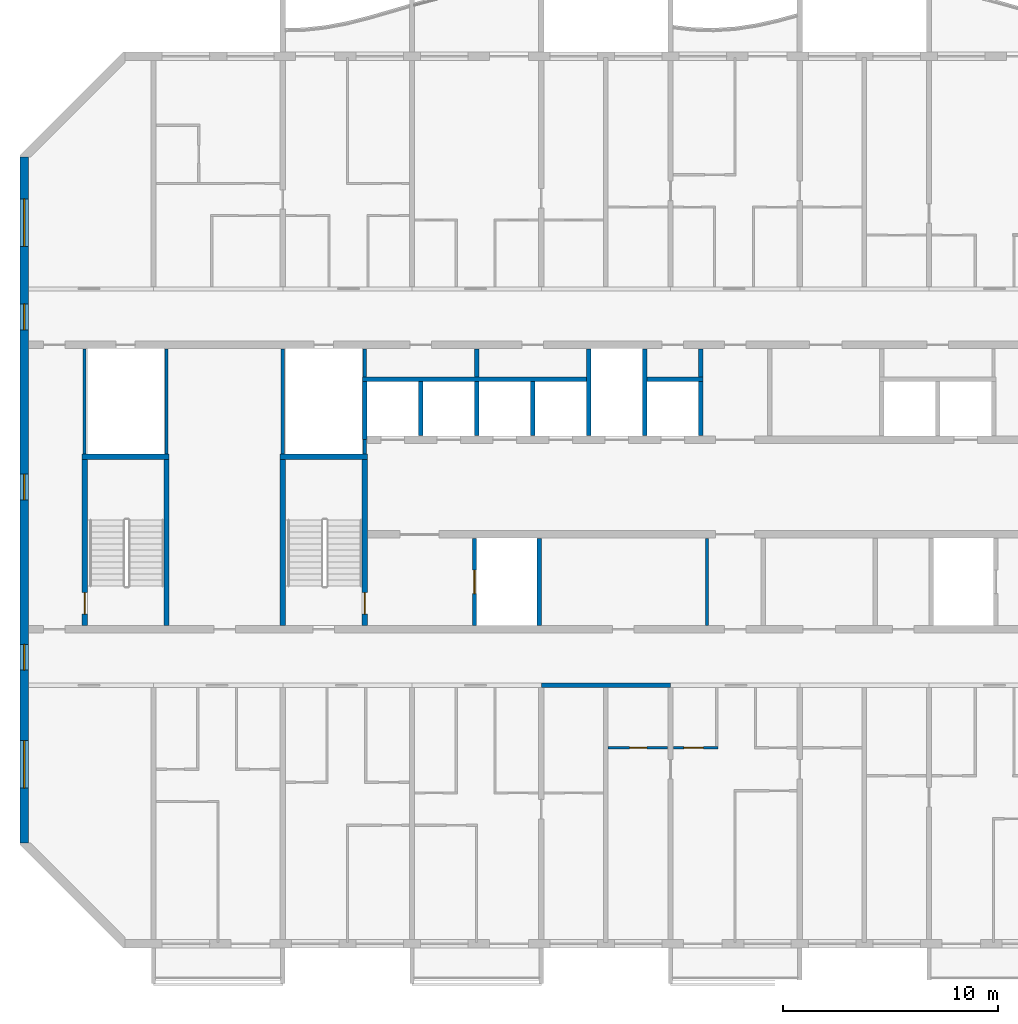
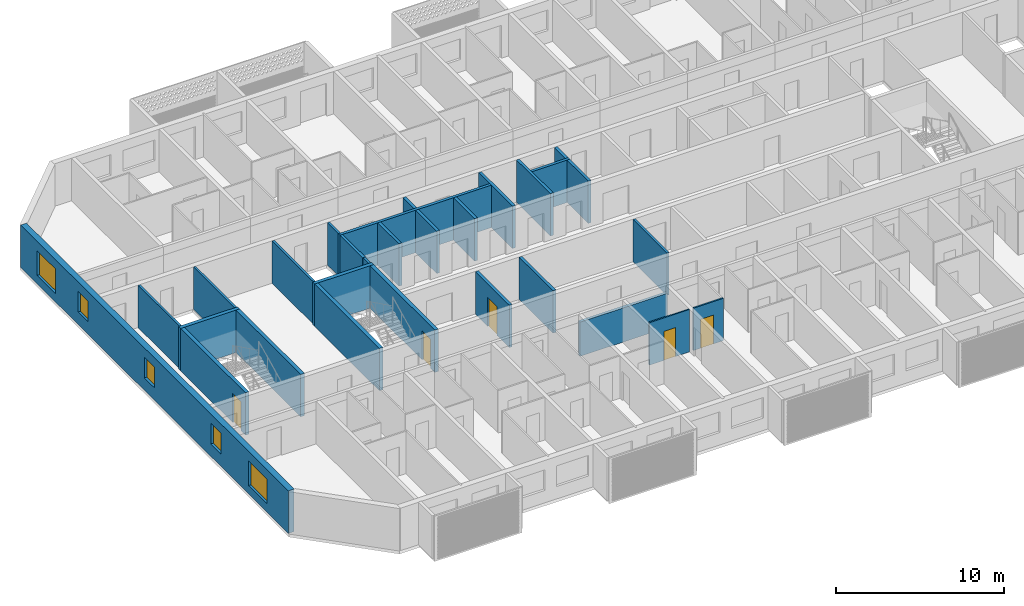
# One storey, part 3 of 26: 29 walls, 5 doors, 5 windows, 10 openings.
"""IFC4 building model written with IfcOpenShell, lengths in metres."""

from ifc_helpers import new_model, si_unit, direction, frame, frame_2d, origin, place, context, subcontext, project, spatial, rectangle, extrude, material, layer, layer_set, type_object, element, fill, save


model = new_model("IFC4")

# Units and contexts
model_context = context("Model", 3, precision=1e-05, world=origin(), true_north=direction((0.0, 1.0)))
body_context = subcontext(model_context, "Body", "Model", "MODEL_VIEW")
ifc_project = project(units=[si_unit("LENGTHUNIT", "METRE"), si_unit("AREAUNIT", "SQUARE_METRE"), si_unit("VOLUMEUNIT", "CUBIC_METRE"), si_unit("PLANEANGLEUNIT", "RADIAN"), si_unit("MASSUNIT", "GRAM", prefix="KILO")], contexts=[model_context])

# Site, building, storey
site_placement = place(None, origin())
site = spatial("IfcSite", under=ifc_project, at=site_placement, CompositionType="ELEMENT")
building_placement = place(site_placement, origin())
building = spatial("IfcBuilding", under=site, at=building_placement, Name="Poui Terraces", CompositionType="ELEMENT")
storey_placement = place(building_placement, frame((0.0, 0.0, 224.699951171875)))
storey = spatial("IfcBuildingStorey", under=building, at=storey_placement, Name="L62", CompositionType="ELEMENT", Elevation=224.699951171875)

# Walls
ifc_material_1 = material(Name="Fire-rated plasterboard wall")
ifc_layer_1 = layer(ifc_material_1, 0.14990234375)
ifc_layer_set_1 = layer_set([ifc_layer_1], Name="Fire-rated plasterboard wall")
wall_type_1 = type_object("IfcWallType", Name="CORRIDOR WALL 150", PredefinedType="PARTITIONING", material=ifc_layer_set_1)
wall_1_placement = place(storey_placement, frame((49.699951171875, 14.784912109375, 0.0), z_axis=(0.0, 0.0, 1.0), x_axis=(0.0, 1.0, 0.0)))
element("IfcWall", 1, at=wall_1_placement, inside=storey, type_object=wall_type_1, Name="CORRIDOR WALL 150", PredefinedType="PARTITIONING", context=body_context, shape_type="SweptSolid", body=[
    extrude(rectangle(XDim=4.030029296875, YDim=0.14990234375, at=frame_2d((2.01513671875, 0.0))), origin(), (0.0, 0.0, 1.0), 3.080078125),
])
ifc_material_2 = material(Name="Concrete 50 MPa", Category="concrete")
ifc_layer_2 = layer(ifc_material_2, 0.199951171875)
ifc_layer_set_2 = layer_set([ifc_layer_2], Name="Concrete 50 MPa")
wall_type_2 = type_object("IfcWallType", Name="CORRIDOR WALL 200 50MPa", PredefinedType="SHEAR", material=ifc_layer_set_2)
wall_2_placement = place(storey_placement, frame((42.0, 12.0, 0.0), z_axis=(0.0, 0.0, 1.0), x_axis=(1.0, 0.0, 0.0)))
element("IfcWall", 2, at=wall_2_placement, inside=storey, type_object=wall_type_2, Name="CORRIDOR WALL LINE B BAY 5", PredefinedType="SHEAR", context=body_context, shape_type="SweptSolid", body=[
    extrude(rectangle(XDim=6.0, YDim=0.199951171875, at=frame_2d((3.0, 0.0))), origin(), (0.0, 0.0, 1.0), 2.47998046875),
])

# Wall, openings, windows
ifc_layer_3 = layer(ifc_material_2, 0.39990234375)
ifc_layer_set_3 = layer_set([ifc_layer_3], Name="Concrete 50 MPa")
wall_type_3 = type_object("IfcWallType", Name="END WALL 400 50MPa", PredefinedType="SHEAR", material=ifc_layer_set_3)
wall_3_placement = place(storey_placement, frame((18.0, 4.682861328125, 0.0), z_axis=(0.0, 0.0, 1.0), x_axis=(0.0, 1.0, 0.0)))
wall_3 = element("IfcWall", 3, at=wall_3_placement, inside=storey, type_object=wall_type_3, Name="END WALL WEST", PredefinedType="SHEAR", context=body_context, shape_type="SweptSolid", body=[
    extrude(rectangle(XDim=31.834228515625, YDim=0.39990234375, at=frame_2d((15.9169921875, 0.0))), origin(), (0.0, 0.0, 1.0), 3.080078125),
])
opening_1_placement = place(wall_3_placement, frame((23.817138671875, 0.0, 0.89990234375)))
opening_1 = element("IfcOpeningElement", 4, at=opening_1_placement, cuts=wall_3, Name="Opening W2", PredefinedType="OPENING", context=body_context, shape_type="SweptSolid", body=[
    extrude(rectangle(XDim=1.199951171875, YDim=1.5, at=frame_2d((0.60009765625, 0.75))), frame((0.0, 0.2099609375, 0.0), z_axis=(0.0, -1.0, 0.0), x_axis=(1.0, 0.0, 0.0)), (0.0, 0.0, 1.0), 0.419921875),
])
opening_2_placement = place(wall_3_placement, frame((8.01708984375, 0.0, 0.89990234375)))
opening_2 = element("IfcOpeningElement", 5, at=opening_2_placement, cuts=wall_3, Name="Opening W2", PredefinedType="OPENING", context=body_context, shape_type="SweptSolid", body=[
    extrude(rectangle(XDim=1.199951171875, YDim=1.5, at=frame_2d((0.60009765625, 0.75))), frame((0.0, 0.2099609375, 0.0), z_axis=(0.0, -1.0, 0.0), x_axis=(1.0, 0.0, 0.0)), (0.0, 0.0, 1.0), 0.419921875),
])
opening_3_placement = place(wall_3_placement, frame((27.693603515625, 0.0, 0.60009765625)))
opening_3 = element("IfcOpeningElement", 6, at=opening_3_placement, cuts=wall_3, Name="Opening W3", PredefinedType="OPENING", context=body_context, shape_type="SweptSolid", body=[
    extrude(rectangle(XDim=2.199951171875, YDim=1.800048828125, at=frame_2d((1.10009765625, 0.89990234375))), frame((0.0, 0.2099609375, 0.0), z_axis=(0.0, -1.0, 0.0), x_axis=(1.0, 0.0, 0.0)), (0.0, 0.0, 1.0), 0.419921875),
])
opening_4_placement = place(wall_3_placement, frame((2.541015625, 0.0, 0.60009765625)))
opening_4 = element("IfcOpeningElement", 7, at=opening_4_placement, cuts=wall_3, Name="Opening W3", PredefinedType="OPENING", context=body_context, shape_type="SweptSolid", body=[
    extrude(rectangle(XDim=2.199951171875, YDim=1.800048828125, at=frame_2d((1.10009765625, 0.89990234375))), frame((0.0, 0.2099609375, 0.0), z_axis=(0.0, -1.0, 0.0), x_axis=(1.0, 0.0, 0.0)), (0.0, 0.0, 1.0), 0.419921875),
])
opening_5_placement = place(wall_3_placement, frame((15.917236328125, 0.0, 0.89990234375)))
opening_5 = element("IfcOpeningElement", 8, at=opening_5_placement, cuts=wall_3, Name="Opening W2", PredefinedType="OPENING", context=body_context, shape_type="SweptSolid", body=[
    extrude(rectangle(XDim=1.199951171875, YDim=1.5, at=frame_2d((0.60009765625, 0.75))), frame((0.0, 0.2099609375, 0.0), z_axis=(0.0, -1.0, 0.0), x_axis=(1.0, 0.0, 0.0)), (0.0, 0.0, 1.0), 0.419921875),
])
ifc_material_3 = material(Name="Clear glass in aluminium frame", Category="aluminium")
window_type_1 = type_object("IfcWindowType", Name="WINDOW 1200X1500", PartitioningType="SINGLE_PANEL", PredefinedType="WINDOW", material=ifc_material_3)
window_1_placement = place(opening_1_placement, origin())
window_1 = element("IfcWindow", 9, at=window_1_placement, inside=storey, type_object=window_type_1, Name="W2 WINDOW", OverallHeight=1.5, OverallWidth=1.199951171875, PartitioningType="SINGLE_PANEL", PredefinedType="WINDOW", context=body_context, shape_type="SweptSolid", body=[
    extrude(rectangle(XDim=1.199951171875, YDim=1.5, at=frame_2d((0.60009765625, 0.75))), frame((0.0, 0.030029296875, 0.0), z_axis=(0.0, -1.0, 0.0), x_axis=(1.0, 0.0, 0.0)), (0.0, 0.0, 1.0), 0.06005859375),
])
fill(opening_1, window_1)
window_2_placement = place(opening_2_placement, origin())
window_2 = element("IfcWindow", 10, at=window_2_placement, inside=storey, type_object=window_type_1, Name="W2 WINDOW", OverallHeight=1.5, OverallWidth=1.199951171875, PartitioningType="SINGLE_PANEL", PredefinedType="WINDOW", context=body_context, shape_type="SweptSolid", body=[
    extrude(rectangle(XDim=1.199951171875, YDim=1.5, at=frame_2d((0.60009765625, 0.75))), frame((0.0, 0.030029296875, 0.0), z_axis=(0.0, -1.0, 0.0), x_axis=(1.0, 0.0, 0.0)), (0.0, 0.0, 1.0), 0.06005859375),
])
fill(opening_2, window_2)
window_3_placement = place(opening_5_placement, origin())
window_3 = element("IfcWindow", 11, at=window_3_placement, inside=storey, type_object=window_type_1, Name="W2 WINDOW", OverallHeight=1.5, OverallWidth=1.199951171875, PartitioningType="SINGLE_PANEL", PredefinedType="WINDOW", context=body_context, shape_type="SweptSolid", body=[
    extrude(rectangle(XDim=1.199951171875, YDim=1.5, at=frame_2d((0.60009765625, 0.75))), frame((0.0, 0.030029296875, 0.0), z_axis=(0.0, -1.0, 0.0), x_axis=(1.0, 0.0, 0.0)), (0.0, 0.0, 1.0), 0.06005859375),
])
fill(opening_5, window_3)
window_type_2 = type_object("IfcWindowType", Name="WINDOW 2200X1800", PartitioningType="DOUBLE_PANEL_HORIZONTAL", PredefinedType="WINDOW", material=ifc_material_3)
window_4_placement = place(opening_3_placement, origin())
window_4 = element("IfcWindow", 12, at=window_4_placement, inside=storey, type_object=window_type_2, Name="W3 WINDOW", OverallHeight=1.800048828125, OverallWidth=2.199951171875, PartitioningType="DOUBLE_PANEL_HORIZONTAL", PredefinedType="WINDOW", context=body_context, shape_type="SweptSolid", body=[
    extrude(rectangle(XDim=2.199951171875, YDim=1.800048828125, at=frame_2d((1.10009765625, 0.89990234375))), frame((0.0, 0.030029296875, 0.0), z_axis=(0.0, -1.0, 0.0), x_axis=(1.0, 0.0, 0.0)), (0.0, 0.0, 1.0), 0.06005859375),
])
fill(opening_3, window_4)
window_5_placement = place(opening_4_placement, origin())
window_5 = element("IfcWindow", 13, at=window_5_placement, inside=storey, type_object=window_type_2, Name="W3 WINDOW", OverallHeight=1.800048828125, OverallWidth=2.199951171875, PartitioningType="DOUBLE_PANEL_HORIZONTAL", PredefinedType="WINDOW", context=body_context, shape_type="SweptSolid", body=[
    extrude(rectangle(XDim=2.199951171875, YDim=1.800048828125, at=frame_2d((1.10009765625, 0.89990234375))), frame((0.0, 0.030029296875, 0.0), z_axis=(0.0, -1.0, 0.0), x_axis=(1.0, 0.0, 0.0)), (0.0, 0.0, 1.0), 0.06005859375),
])
fill(opening_4, window_5)

# Wall, opening, door
ifc_material_4 = material(Name="Plasterboard partition")
ifc_layer_4 = layer(ifc_material_4, 0.10009765625)
ifc_layer_set_4 = layer_set([ifc_layer_4], Name="Plasterboard partition")
wall_type_4 = type_object("IfcWallType", Name="FLAT PARTITION 100", PredefinedType="PARTITIONING", material=ifc_layer_set_4)
wall_4_placement = place(storey_placement, frame((45.10009765625, 9.10009765625, 0.0), z_axis=(0.0, 0.0, 1.0), x_axis=(1.0, 0.0, 0.0)))
wall_4 = element("IfcWall", 14, at=wall_4_placement, inside=storey, type_object=wall_type_4, Name="FLAT PARTITION 100", PredefinedType="PARTITIONING", context=body_context, shape_type="SweptSolid", body=[
    extrude(rectangle(XDim=2.764892578125, YDim=0.10009765625, at=frame_2d((1.38232421875, 0.0))), origin(), (0.0, 0.0, 1.0), 3.080078125),
])
opening_6_placement = place(wall_4_placement, frame((1.0, 0.0, 0.0)))
opening_6 = element("IfcOpeningElement", 15, at=opening_6_placement, cuts=wall_4, Name="Opening D80", PredefinedType="OPENING", context=body_context, shape_type="SweptSolid", body=[
    extrude(rectangle(XDim=0.800048828125, YDim=2.10009765625, at=frame_2d((0.39990234375, 1.050048828125))), frame((0.0, 0.06005859375, 0.0), z_axis=(0.0, -1.0, 0.0), x_axis=(1.0, 0.0, 0.0)), (0.0, 0.0, 1.0), 0.1201171875),
])
ifc_material_5 = material(Name="Solid core timber door", Category="wood")
door_type_1 = type_object("IfcDoorType", Name="BATHROOM, LAUNDRY AND STORE DOOR 800 X 2100", OperationType="NOTDEFINED", PredefinedType="DOOR", material=ifc_material_5)
door_1_placement = place(opening_6_placement, origin())
door_1 = element("IfcDoor", 16, at=door_1_placement, inside=storey, type_object=door_type_1, Name="BATHROOM, LAUNDRY AND STORE DOOR 073", OperationType="SINGLE_SWING_LEFT", OverallHeight=2.10009765625, OverallWidth=0.800048828125, PredefinedType="DOOR", context=body_context, shape_type="SweptSolid", body=[
    extrude(rectangle(XDim=0.800048828125, YDim=2.10009765625, at=frame_2d((0.39990234375, 1.050048828125))), frame((0.0, 0.02490234375, 0.0), z_axis=(0.0, -1.0, 0.0), x_axis=(1.0, 0.0, 0.0)), (0.0, 0.0, 1.0), 0.050048828125),
])
fill(opening_6, door_1)

wall_5_placement = place(storey_placement, frame((48.135009765625, 9.10009765625, 0.0), z_axis=(0.0, 0.0, 1.0), x_axis=(1.0, 0.0, 0.0)))
wall_5 = element("IfcWall", 17, at=wall_5_placement, inside=storey, type_object=wall_type_4, Name="FLAT PARTITION 100", PredefinedType="PARTITIONING", context=body_context, shape_type="SweptSolid", body=[
    extrude(rectangle(XDim=2.06494140625, YDim=0.10009765625, at=frame_2d((1.032470703125, 0.0))), origin(), (0.0, 0.0, 1.0), 3.080078125),
])
opening_7_placement = place(wall_5_placement, frame((0.489990234375, 0.0, 0.0)))
opening_7 = element("IfcOpeningElement", 18, at=opening_7_placement, cuts=wall_5, Name="Opening D90", PredefinedType="OPENING", context=body_context, shape_type="SweptSolid", body=[
    extrude(rectangle(XDim=0.89990234375, YDim=2.10009765625, at=frame_2d((0.449951171875, 1.050048828125))), frame((0.0, 0.06005859375, 0.0), z_axis=(0.0, -1.0, 0.0), x_axis=(1.0, 0.0, 0.0)), (0.0, 0.0, 1.0), 0.1201171875),
])
door_type_2 = type_object("IfcDoorType", Name="INTERNAL DOOR 900 X 2100", OperationType="NOTDEFINED", PredefinedType="DOOR", material=ifc_material_5)
door_2_placement = place(opening_7_placement, origin())
door_2 = element("IfcDoor", 19, at=door_2_placement, inside=storey, type_object=door_type_2, Name="INTERNAL DOOR 076", OperationType="SINGLE_SWING_LEFT", OverallHeight=2.10009765625, OverallWidth=0.89990234375, PredefinedType="DOOR", context=body_context, shape_type="SweptSolid", body=[
    extrude(rectangle(XDim=0.89990234375, YDim=2.10009765625, at=frame_2d((0.449951171875, 1.050048828125))), frame((0.0, 0.02490234375, 0.0), z_axis=(0.0, -1.0, 0.0), x_axis=(1.0, 0.0, 0.0)), (0.0, 0.0, 1.0), 0.050048828125),
])
fill(opening_7, door_2)

# Walls
ifc_material_6 = material(Name="Fire-rated masonry wall", Category="masonry")
ifc_layer_5 = layer(ifc_material_6, 0.199951171875)
ifc_layer_set_5 = layer_set([ifc_layer_5], Name="Fire-rated masonry wall")
wall_type_5 = type_object("IfcWallType", Name="PLANT ROOM WALL 200", PredefinedType="PARTITIONING", material=ifc_layer_set_5)
for number, where, z_axis, x_axis, name in (
    (20, (39.0, 26.300048828125, 0.0), (0.0, 0.0, 1.0), (0.0, 1.0, 0.0), "PLANT ROOM WALL 200"),
    (21, (49.39990234375, 26.300048828125, 0.0), (0.0, 0.0, 1.0), (0.0, 1.0, 0.0), "PLANT ROOM WALL 200"),
):
    element("IfcWall", number, at=place(storey_placement, frame(where, z_axis=z_axis, x_axis=x_axis)), inside=storey, type_object=wall_type_5, Name=name, PredefinedType="PARTITIONING", context=body_context, shape_type="SweptSolid", body=[
        extrude(rectangle(XDim=1.31494140625, YDim=0.199951171875, at=frame_2d((0.657470703125, 0.0))), origin(), (0.0, 0.0, 1.0), 3.080078125),
    ])
ifc_material_7 = material(Name="Fire-rated plasterboard riser wall")
ifc_layer_6 = layer(ifc_material_7, 0.14990234375)
ifc_layer_set_6 = layer_set([ifc_layer_6], Name="Fire-rated plasterboard riser wall")
wall_type_6 = type_object("IfcWallType", Name="RISER WALL 150", PredefinedType="PARTITIONING", material=ifc_layer_set_6)
for number, where, z_axis, x_axis, name in (
    (22, (20.800048828125, 22.735107421875, 0.0), (0.0, 0.0, 1.0), (0.0, 1.0, 0.0), "RISER WALL 150"),
    (23, (24.60009765625, 22.735107421875, 0.0), (0.0, 0.0, 1.0), (0.0, 1.0, 0.0), "RISER WALL 150"),
    (24, (30.0, 22.735107421875, 0.0), (0.0, 0.0, 1.0), (0.0, 1.0, 0.0), "RISER WALL 150"),
):
    element("IfcWall", number, at=place(storey_placement, frame(where, z_axis=z_axis, x_axis=x_axis)), inside=storey, type_object=wall_type_6, Name=name, PredefinedType="PARTITIONING", context=body_context, shape_type="SweptSolid", body=[
        extrude(rectangle(XDim=4.8798828125, YDim=0.14990234375, at=frame_2d((2.43994140625, 0.0))), origin(), (0.0, 0.0, 1.0), 3.080078125),
    ])
wall_6_placement = place(storey_placement, frame((33.800048828125, 22.735107421875, 0.0), z_axis=(0.0, 0.0, 1.0), x_axis=(0.0, 1.0, 0.0)))
element("IfcWall", 25, at=wall_6_placement, inside=storey, type_object=wall_type_6, Name="RISER WALL 150", PredefinedType="PARTITIONING", context=body_context, shape_type="SweptSolid", body=[
    extrude(rectangle(XDim=0.664794921875, YDim=0.14990234375, at=frame_2d((0.33251953125, 0.0))), origin(), (0.0, 0.0, 1.0), 3.080078125),
])
wall_7_placement = place(storey_placement, frame((33.800048828125, 26.300048828125, 0.0), z_axis=(0.0, 0.0, 1.0), x_axis=(0.0, 1.0, 0.0)))
element("IfcWall", 26, at=wall_7_placement, inside=storey, type_object=wall_type_6, Name="RISER WALL 150", PredefinedType="PARTITIONING", context=body_context, shape_type="SweptSolid", body=[
    extrude(rectangle(XDim=1.31494140625, YDim=0.14990234375, at=frame_2d((0.657470703125, 0.0))), origin(), (0.0, 0.0, 1.0), 3.080078125),
])
ifc_material_8 = material(Name="Fire-rated masonry shaft wall", Category="masonry")
ifc_layer_7 = layer(ifc_material_8, 0.199951171875)
ifc_layer_set_7 = layer_set([ifc_layer_7], Name="Fire-rated masonry shaft wall")
wall_type_7 = type_object("IfcWallType", Name="SHAFT WALL 200", PredefinedType="PARTITIONING", material=ifc_layer_set_7)
wall_8_placement = place(storey_placement, frame((33.699951171875, 26.199951171875, 0.0), z_axis=(0.0, 0.0, 1.0), x_axis=(1.0, 0.0, 0.0)))
element("IfcWall", 27, at=wall_8_placement, inside=storey, type_object=wall_type_7, Name="SHAFT WALL 200", PredefinedType="PARTITIONING", context=body_context, shape_type="SweptSolid", body=[
    extrude(rectangle(XDim=10.400146484375, YDim=0.199951171875, at=frame_2d((5.2001953125, 0.0))), origin(), (0.0, 0.0, 1.0), 3.080078125),
])
wall_9_placement = place(storey_placement, frame((46.89990234375, 26.199951171875, 0.0), z_axis=(0.0, 0.0, 1.0), x_axis=(1.0, 0.0, 0.0)))
element("IfcWall", 28, at=wall_9_placement, inside=storey, type_object=wall_type_7, Name="SHAFT WALL 200", PredefinedType="PARTITIONING", context=body_context, shape_type="SweptSolid", body=[
    extrude(rectangle(XDim=2.60009765625, YDim=0.199951171875, at=frame_2d((1.300048828125, 0.0))), origin(), (0.0, 0.0, 1.0), 3.080078125),
])
wall_10_placement = place(storey_placement, frame((33.800048828125, 23.39990234375, 0.0), z_axis=(0.0, 0.0, 1.0), x_axis=(0.0, 1.0, 0.0)))
element("IfcWall", 29, at=wall_10_placement, inside=storey, type_object=wall_type_7, Name="SHAFT WALL 200", PredefinedType="PARTITIONING", context=body_context, shape_type="SweptSolid", body=[
    extrude(rectangle(XDim=2.7001953125, YDim=0.199951171875, at=frame_2d((1.35009765625, 0.0))), origin(), (0.0, 0.0, 1.0), 3.080078125),
])
wall_11_placement = place(storey_placement, frame((36.39990234375, 23.5849609375, 0.0), z_axis=(0.0, 0.0, 1.0), x_axis=(0.0, 1.0, 0.0)))
element("IfcWall", 30, at=wall_11_placement, inside=storey, type_object=wall_type_7, Name="SHAFT WALL 200", PredefinedType="PARTITIONING", context=body_context, shape_type="SweptSolid", body=[
    extrude(rectangle(XDim=2.51513671875, YDim=0.199951171875, at=frame_2d((1.257568359375, 0.0))), origin(), (0.0, 0.0, 1.0), 3.080078125),
])

# Wall, opening, door
wall_12_placement = place(storey_placement, frame((38.89990234375, 14.784912109375, 0.0), z_axis=(0.0, 0.0, 1.0), x_axis=(0.0, 1.0, 0.0)))
wall_12 = element("IfcWall", 31, at=wall_12_placement, inside=storey, type_object=wall_type_7, Name="SHAFT WALL 200", PredefinedType="PARTITIONING", context=body_context, shape_type="SweptSolid", body=[
    extrude(rectangle(XDim=4.030029296875, YDim=0.199951171875, at=frame_2d((2.01513671875, 0.0))), origin(), (0.0, 0.0, 1.0), 3.080078125),
])
opening_8_placement = place(wall_12_placement, frame((1.465087890625, 0.0, 0.0)))
opening_8 = element("IfcOpeningElement", 32, at=opening_8_placement, cuts=wall_12, Name="Opening LD", PredefinedType="OPENING", context=body_context, shape_type="SweptSolid", body=[
    extrude(rectangle(XDim=1.10009765625, YDim=2.10009765625, at=frame_2d((0.550048828125, 1.050048828125))), frame((0.0, 0.10986328125, 0.0), z_axis=(0.0, -1.0, 0.0), x_axis=(1.0, 0.0, 0.0)), (0.0, 0.0, 1.0), 0.219970703125),
])
ifc_material_9 = material(Name="Stainless steel sliding door", Category="steel")
door_type_3 = type_object("IfcDoorType", Name="LIFT LANDING DOOR 1100 X 2100", OperationType="DOUBLE_DOOR_SLIDING", PredefinedType="DOOR", material=ifc_material_9)
door_3_placement = place(opening_8_placement, origin())
door_3 = element("IfcDoor", 33, at=door_3_placement, inside=storey, type_object=door_type_3, Name="LANDING DOOR", OperationType="DOUBLE_DOOR_SLIDING", OverallHeight=2.10009765625, OverallWidth=1.10009765625, PredefinedType="DOOR", context=body_context, shape_type="SweptSolid", body=[
    extrude(rectangle(XDim=1.10009765625, YDim=2.10009765625, at=frame_2d((0.550048828125, 1.050048828125))), frame((0.0, 0.02490234375, 0.0), z_axis=(0.0, -1.0, 0.0), x_axis=(1.0, 0.0, 0.0)), (0.0, 0.0, 1.0), 0.050048828125),
])
fill(opening_8, door_3)

# Walls
for number, where, z_axis, x_axis, name in (
    (34, (39.0, 23.5849609375, 0.0), (0.0, 0.0, 1.0), (0.0, 1.0, 0.0), "SHAFT WALL 200"),
    (35, (41.60009765625, 23.5849609375, 0.0), (0.0, 0.0, 1.0), (0.0, 1.0, 0.0), "SHAFT WALL 200"),
):
    element("IfcWall", number, at=place(storey_placement, frame(where, z_axis=z_axis, x_axis=x_axis)), inside=storey, type_object=wall_type_7, Name=name, PredefinedType="PARTITIONING", context=body_context, shape_type="SweptSolid", body=[
        extrude(rectangle(XDim=2.51513671875, YDim=0.199951171875, at=frame_2d((1.257568359375, 0.0))), origin(), (0.0, 0.0, 1.0), 3.080078125),
    ])
for number, where, z_axis, x_axis, name in (
    (36, (41.89990234375, 14.784912109375, 0.0), (0.0, 0.0, 1.0), (0.0, 1.0, 0.0), "SHAFT WALL 200"),
    (37, (44.199951171875, 23.5849609375, 0.0), (0.0, 0.0, 1.0), (0.0, 1.0, 0.0), "SHAFT WALL 200"),
    (38, (46.800048828125, 23.5849609375, 0.0), (0.0, 0.0, 1.0), (0.0, 1.0, 0.0), "SHAFT WALL 200"),
):
    element("IfcWall", number, at=place(storey_placement, frame(where, z_axis=z_axis, x_axis=x_axis)), inside=storey, type_object=wall_type_7, Name=name, PredefinedType="PARTITIONING", context=body_context, shape_type="SweptSolid", body=[
        extrude(rectangle(XDim=4.030029296875, YDim=0.199951171875, at=frame_2d((2.01513671875, 0.0))), origin(), (0.0, 0.0, 1.0), 3.080078125),
    ])
wall_13_placement = place(storey_placement, frame((49.39990234375, 23.5849609375, 0.0), z_axis=(0.0, 0.0, 1.0), x_axis=(0.0, 1.0, 0.0)))
element("IfcWall", 39, at=wall_13_placement, inside=storey, type_object=wall_type_7, Name="SHAFT WALL 200", PredefinedType="PARTITIONING", context=body_context, shape_type="SweptSolid", body=[
    extrude(rectangle(XDim=2.51513671875, YDim=0.199951171875, at=frame_2d((1.257568359375, 0.0))), origin(), (0.0, 0.0, 1.0), 3.080078125),
])
ifc_layer_8 = layer(ifc_material_2, 0.25)
ifc_layer_set_8 = layer_set([ifc_layer_8], Name="Concrete 50 MPa")
wall_type_8 = type_object("IfcWallType", Name="STAIR CORE WALL 250 50 MPA", PredefinedType="SOLIDWALL", material=ifc_layer_set_8)
wall_14_placement = place(storey_placement, frame((30.0, 14.77490234375, 0.0), z_axis=(0.0, 0.0, 1.0), x_axis=(0.0, 1.0, 0.0)))
element("IfcWall", 40, at=wall_14_placement, inside=storey, type_object=wall_type_8, Name="STAIR CORE WALL", PredefinedType="SOLIDWALL", context=body_context, shape_type="SweptSolid", body=[
    extrude(rectangle(XDim=7.7001953125, YDim=0.25, at=frame_2d((3.85009765625, 0.0))), origin(), (0.0, 0.0, 1.0), 3.080078125),
])

# Wall, opening, door
wall_15_placement = place(storey_placement, frame((33.800048828125, 14.77490234375, 0.0), z_axis=(0.0, 0.0, 1.0), x_axis=(0.0, 1.0, 0.0)))
wall_15 = element("IfcWall", 41, at=wall_15_placement, inside=storey, type_object=wall_type_8, Name="STAIR CORE WALL", PredefinedType="SOLIDWALL", context=body_context, shape_type="SweptSolid", body=[
    extrude(rectangle(XDim=7.7001953125, YDim=0.25, at=frame_2d((3.85009765625, 0.0))), origin(), (0.0, 0.0, 1.0), 3.080078125),
])
opening_9_placement = place(wall_15_placement, frame((0.52490234375, 0.0, 0.0)))
opening_9 = element("IfcOpeningElement", 42, at=opening_9_placement, cuts=wall_15, Name="Opening FD60S", PredefinedType="OPENING", context=body_context, shape_type="SweptSolid", body=[
    extrude(rectangle(XDim=1.0, YDim=2.10009765625, at=frame_2d((0.5, 1.050048828125))), frame((0.0, 0.135009765625, 0.0), z_axis=(0.0, -1.0, 0.0), x_axis=(1.0, 0.0, 0.0)), (0.0, 0.0, 1.0), 0.27001953125),
])
ifc_material_10 = material(Name="Steel fire door", Category="steel")
door_type_4 = type_object("IfcDoorType", Name="STAIR DOOR 1000 X 2100", OperationType="NOTDEFINED", PredefinedType="DOOR", material=ifc_material_10)
door_4_placement = place(opening_9_placement, origin())
door_4 = element("IfcDoor", 43, at=door_4_placement, inside=storey, type_object=door_type_4, Name="STAIR DOOR 097", OperationType="SINGLE_SWING_LEFT", OverallHeight=2.10009765625, OverallWidth=1.0, PredefinedType="DOOR", context=body_context, shape_type="SweptSolid", body=[
    extrude(rectangle(XDim=1.0, YDim=2.10009765625, at=frame_2d((0.5, 1.050048828125))), frame((0.0, 0.02490234375, 0.0), z_axis=(0.0, -1.0, 0.0), x_axis=(1.0, 0.0, 0.0)), (0.0, 0.0, 1.0), 0.050048828125),
])
fill(opening_9, door_4)

# Wall
wall_16_placement = place(storey_placement, frame((29.875, 22.60009765625, 0.0), z_axis=(0.0, 0.0, 1.0), x_axis=(1.0, 0.0, 0.0)))
element("IfcWall", 44, at=wall_16_placement, inside=storey, type_object=wall_type_8, Name="STAIR CORE WALL", PredefinedType="SOLIDWALL", context=body_context, shape_type="SweptSolid", body=[
    extrude(rectangle(XDim=4.050048828125, YDim=0.25, at=frame_2d((2.02490234375, 0.0))), origin(), (0.0, 0.0, 1.0), 3.080078125),
])

# Wall, opening, door
wall_17_placement = place(storey_placement, frame((20.800048828125, 14.77490234375, 0.0), z_axis=(0.0, 0.0, 1.0), x_axis=(0.0, 1.0, 0.0)))
wall_17 = element("IfcWall", 45, at=wall_17_placement, inside=storey, type_object=wall_type_8, Name="STAIR CORE WALL", PredefinedType="SOLIDWALL", context=body_context, shape_type="SweptSolid", body=[
    extrude(rectangle(XDim=7.7001953125, YDim=0.25, at=frame_2d((3.85009765625, 0.0))), origin(), (0.0, 0.0, 1.0), 3.080078125),
])
opening_10_placement = place(wall_17_placement, frame((0.52490234375, 0.0, 0.0)))
opening_10 = element("IfcOpeningElement", 46, at=opening_10_placement, cuts=wall_17, Name="Opening FD60S", PredefinedType="OPENING", context=body_context, shape_type="SweptSolid", body=[
    extrude(rectangle(XDim=1.0, YDim=2.10009765625, at=frame_2d((0.5, 1.050048828125))), frame((0.0, 0.135009765625, 0.0), z_axis=(0.0, -1.0, 0.0), x_axis=(1.0, 0.0, 0.0)), (0.0, 0.0, 1.0), 0.27001953125),
])
door_5_placement = place(opening_10_placement, frame((1.0, 0.0, 0.0), z_axis=(0.0, 0.0, 1.0), x_axis=(-1.0, 0.0, 0.0)))
door_5 = element("IfcDoor", 47, at=door_5_placement, inside=storey, type_object=door_type_4, Name="STAIR DOOR 111", OperationType="SINGLE_SWING_RIGHT", OverallHeight=2.10009765625, OverallWidth=1.0, PredefinedType="DOOR", context=body_context, shape_type="SweptSolid", body=[
    extrude(rectangle(XDim=1.0, YDim=2.10009765625, at=frame_2d((0.5, 1.050048828125))), frame((0.0, 0.02490234375, 0.0), z_axis=(0.0, -1.0, 0.0), x_axis=(1.0, 0.0, 0.0)), (0.0, 0.0, 1.0), 0.050048828125),
])
fill(opening_10, door_5)

# Walls
wall_18_placement = place(storey_placement, frame((24.60009765625, 14.77490234375, 0.0), z_axis=(0.0, 0.0, 1.0), x_axis=(0.0, 1.0, 0.0)))
element("IfcWall", 48, at=wall_18_placement, inside=storey, type_object=wall_type_8, Name="STAIR CORE WALL", PredefinedType="SOLIDWALL", context=body_context, shape_type="SweptSolid", body=[
    extrude(rectangle(XDim=7.7001953125, YDim=0.25, at=frame_2d((3.85009765625, 0.0))), origin(), (0.0, 0.0, 1.0), 3.080078125),
])
wall_19_placement = place(storey_placement, frame((20.675048828125, 22.60009765625, 0.0), z_axis=(0.0, 0.0, 1.0), x_axis=(1.0, 0.0, 0.0)))
element("IfcWall", 49, at=wall_19_placement, inside=storey, type_object=wall_type_8, Name="STAIR CORE WALL", PredefinedType="SOLIDWALL", context=body_context, shape_type="SweptSolid", body=[
    extrude(rectangle(XDim=4.050048828125, YDim=0.25, at=frame_2d((2.02490234375, 0.0))), origin(), (0.0, 0.0, 1.0), 3.080078125),
])

save(model, "model.ifc")
